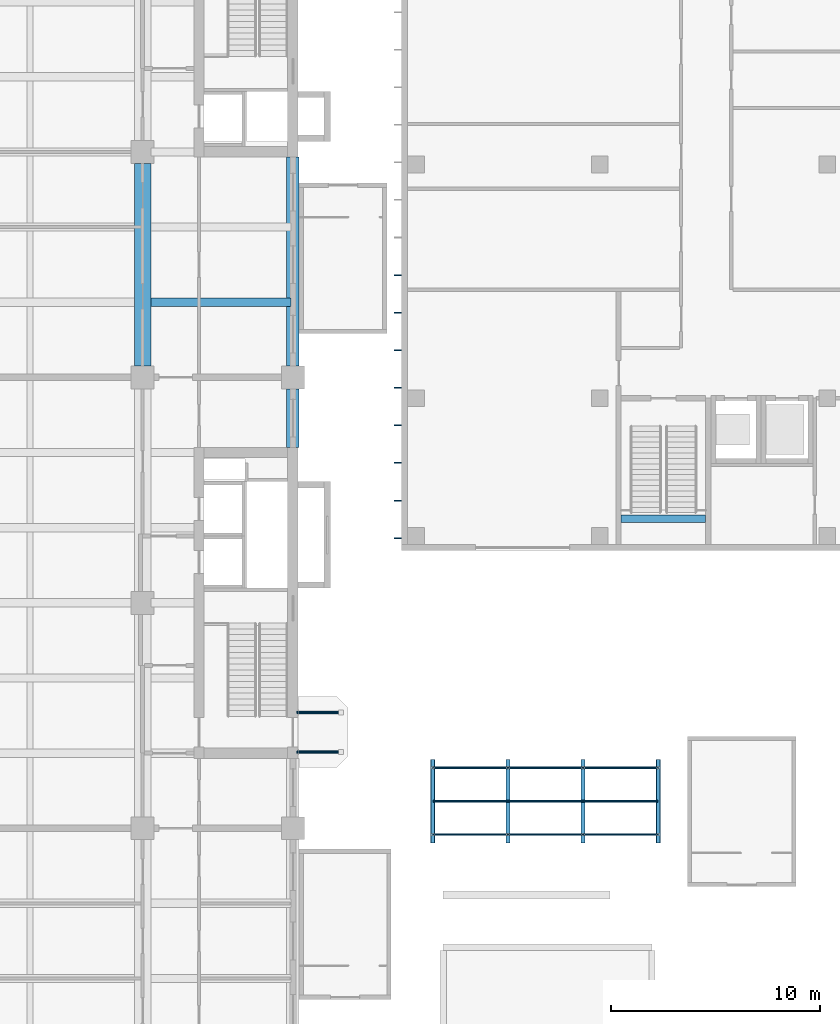
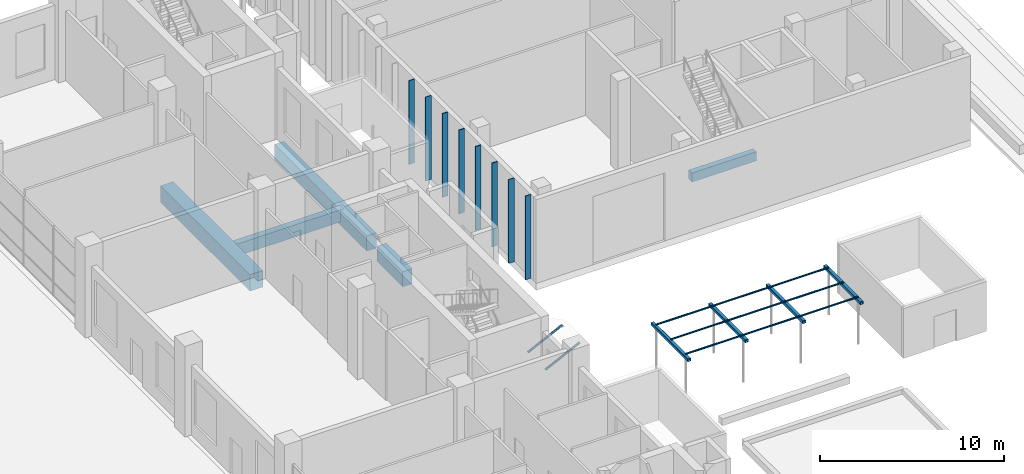
# One storey, part 31 of 71: 19 members, 9 beams.
"""IFC4 building model written with IfcOpenShell, lengths in metres."""

from ifc_helpers import new_model, si_unit, direction, frame, origin, origin_2d, place, context, subcontext, project, spatial, rectangle, hollow_rectangle, hollow_circle, extrude, material, material_profile, profile_set, type_object, element, save


model = new_model("IFC4")

# Units and contexts
model_context = context("Model", 3, precision=1e-05, world=origin(), true_north=direction((0.0, 1.0)))
body_context = subcontext(model_context, "Body", "Model", "MODEL_VIEW")
ifc_project = project(units=[si_unit("LENGTHUNIT", "METRE"), si_unit("AREAUNIT", "SQUARE_METRE"), si_unit("VOLUMEUNIT", "CUBIC_METRE"), si_unit("PLANEANGLEUNIT", "RADIAN"), si_unit("MASSUNIT", "GRAM", prefix="KILO")], contexts=[model_context])

# Site, building, storey
site_placement = place(None, origin())
site = spatial("IfcSite", under=ifc_project, at=site_placement, CompositionType="ELEMENT")
building_placement = place(site_placement, origin())
building = spatial("IfcBuilding", under=site, at=building_placement, Name="Basin Gate Institute", CompositionType="ELEMENT")
storey_placement = place(building_placement, origin())
storey = spatial("IfcBuildingStorey", under=building, at=storey_placement, Name="L00", CompositionType="ELEMENT", Elevation=0.0)

# Beams
ifc_material_1 = material(Name="Concrete 40 MPa", Category="concrete")
ifc_material_profile_1 = material_profile(ifc_material_1, rectangle(XDim=0.39990234375, YDim=0.800048828125, at=origin_2d()), Name="Beam B2 400 x 800")
ifc_profile_set_1 = profile_set([ifc_material_profile_1], Name="Concrete 40 MPa")
beam_type_1 = type_object("IfcBeamType", Name="Beam B2 R180", PredefinedType="BEAM", material=ifc_profile_set_1)
beam_1_placement = place(storey_placement, frame((118.699951171875, 81.89990234375, -0.699951171875), z_axis=(-1.0, 0.0, 0.0), x_axis=(0.0, -1.0, 0.0)))
element("IfcBeam", 1, at=beam_1_placement, inside=storey, type_object=beam_type_1, material=ifc_profile_set_1, Name="BEAM/L00/E/OUT/14", PredefinedType="BEAM", context=body_context, shape_type="SweptSolid", body=[
    extrude(rectangle(XDim=0.39990234375, YDim=0.800048828125, at=origin_2d()), origin(), (0.0, 0.0, 1.0), 6.699951171875),
])
ifc_material_2 = material(Name="Concrete 40 MPa", Category="concrete")
ifc_material_profile_2 = material_profile(ifc_material_2, rectangle(XDim=0.35009765625, YDim=0.60009765625, at=origin_2d()), Name="Beam B4 350 x 600")
ifc_profile_set_2 = profile_set([ifc_material_profile_2], Name="Concrete 40 MPa")
beam_type_2 = type_object("IfcBeamType", Name="Beam B4 R180", PredefinedType="BEAM", material=ifc_profile_set_2)
beam_2_placement = place(storey_placement, frame((134.52490234375, 71.5263671875, 2.5), z_axis=(1.0, 0.0, 0.0), x_axis=(0.0, 1.0, 0.0)))
element("IfcBeam", 2, at=beam_2_placement, inside=storey, type_object=beam_type_2, material=ifc_profile_set_2, Name="Stair landing beam ST-C1 L00", PredefinedType="BEAM", context=body_context, shape_type="SweptSolid", body=[
    extrude(rectangle(XDim=0.35009765625, YDim=0.60009765625, at=origin_2d()), origin(), (0.0, 0.0, 1.0), 4.050048828125),
])

# Members
ifc_material_3 = material(Name="Structural steel SN490", Category="steel")
ifc_material_profile_3 = material_profile(ifc_material_3, hollow_circle(Radius=0.06982421875, WallThickness=0.006103515625, at=origin_2d()), Name="CHS139x6")
ifc_profile_set_3 = profile_set([ifc_material_profile_3], Name="Structural steel SN490")
member_type_1 = type_object("IfcMemberType", Name="Canopy strut TD4", PredefinedType="BRACE", material=ifc_profile_set_3)
for number, where, z_axis, x_axis, name in (
    (3, (119.0, 60.35009765625, 1.89990234375), (0.898551608074, 0.0, 0.438867870353), (0.0, 1.0, 0.0), "Canopy strut EM 1"),
    (4, (119.0, 62.25, 1.89990234375), (0.898551608074, 0.0, 0.438867870353), (0.0, 1.0, 0.0), "Canopy strut EM 2"),
):
    element("IfcMember", number, at=place(storey_placement, frame(where, z_axis=z_axis, x_axis=x_axis)), inside=storey, type_object=member_type_1, material=ifc_profile_set_3, Name=name, PredefinedType="BRACE", context=body_context, shape_type="SweptSolid", body=[
        extrude(hollow_circle(Radius=0.06982421875, WallThickness=0.006103515625, at=origin_2d()), origin(), (0.0, 0.0, 1.0), 2.392578125),
    ])

# Beams
ifc_material_4 = material(Name="Structural steel SN490", Category="steel")
ifc_material_profile_4 = material_profile(ifc_material_4, hollow_rectangle(XDim=0.199951171875, YDim=0.199951171875, WallThickness=0.009033203125, InnerFilletRadius=0.009033203125, OuterFilletRadius=0.01806640625, at=origin_2d()), Name="RHS200x200x9")
ifc_profile_set_4 = profile_set([ifc_material_profile_4], Name="Structural steel SN490")
beam_type_3 = type_object("IfcBeamType", Name="Court steel TD2 Beam beam", PredefinedType="BEAM", material=ifc_profile_set_4)
for number, where, z_axis, x_axis, name in (
    (5, (125.5, 56.0, 2.89990234375), (0.0, 1.0, 0.0), (-1.0, 0.0, 0.0), "Service Court pergola beam"),
    (6, (129.10009765625, 56.0, 2.89990234375), (0.0, 1.0, 0.0), (-1.0, 0.0, 0.0), "Service Court pergola beam"),
    (7, (132.699951171875, 56.0, 2.89990234375), (0.0, 1.0, 0.0), (-1.0, 0.0, 0.0), "Service Court pergola beam"),
    (8, (136.300048828125, 56.0, 2.89990234375), (0.0, 1.0, 0.0), (-1.0, 0.0, 0.0), "Service Court pergola beam"),
):
    element("IfcBeam", number, at=place(storey_placement, frame(where, z_axis=z_axis, x_axis=x_axis)), inside=storey, type_object=beam_type_3, material=ifc_profile_set_4, Name=name, PredefinedType="BEAM", context=body_context, shape_type="SweptSolid", body=[
        extrude(hollow_rectangle(XDim=0.199951171875, YDim=0.199951171875, WallThickness=0.009033203125, InnerFilletRadius=0.009033203125, OuterFilletRadius=0.01806640625, at=origin_2d()), origin(), (0.0, 0.0, 1.0), 4.0),
    ])

# Members
ifc_material_5 = material(Name="Structural steel SN490", Category="steel")
ifc_material_profile_5 = material_profile(ifc_material_5, hollow_circle(Radius=0.05712890625, WallThickness=0.0048828125, at=origin_2d()), Name="CHS114x5")
ifc_profile_set_5 = profile_set([ifc_material_profile_5], Name="Structural steel SN490")
member_type_2 = type_object("IfcMemberType", Name="Court steel TD5 Member purlin", PredefinedType="PURLIN", material=ifc_profile_set_5)
for number, where, z_axis, x_axis, name in (
    (9, (125.5, 56.39990234375, 3.05712890625), (1.0, 0.0, 0.0), (0.0, 1.0, 0.0), "Service Court pergola joist"),
    (10, (125.5, 59.60009765625, 3.05712890625), (1.0, 0.0, 0.0), (0.0, 1.0, 0.0), "Service Court pergola joist"),
    (11, (125.5, 58.0, 3.05712890625), (1.0, 0.0, 0.0), (0.0, 1.0, 0.0), "Service Court pergola joist"),
):
    element("IfcMember", number, at=place(storey_placement, frame(where, z_axis=z_axis, x_axis=x_axis)), inside=storey, type_object=member_type_2, material=ifc_profile_set_5, Name=name, PredefinedType="PURLIN", context=body_context, shape_type="SweptSolid", body=[
        extrude(hollow_circle(Radius=0.05712890625, WallThickness=0.0048828125, at=origin_2d()), origin(), (0.0, 0.0, 1.0), 3.60009765625),
    ])
for number, where, z_axis, x_axis, name in (
    (12, (129.10009765625, 56.39990234375, 3.05712890625), (1.0, 0.0, 0.0), (0.0, 1.0, 0.0), "Service Court pergola joist"),
    (13, (129.10009765625, 59.60009765625, 3.05712890625), (1.0, 0.0, 0.0), (0.0, 1.0, 0.0), "Service Court pergola joist"),
    (14, (129.10009765625, 58.0, 3.05712890625), (1.0, 0.0, 0.0), (0.0, 1.0, 0.0), "Service Court pergola joist"),
):
    element("IfcMember", number, at=place(storey_placement, frame(where, z_axis=z_axis, x_axis=x_axis)), inside=storey, type_object=member_type_2, material=ifc_profile_set_5, Name=name, PredefinedType="PURLIN", context=body_context, shape_type="SweptSolid", body=[
        extrude(hollow_circle(Radius=0.05712890625, WallThickness=0.0048828125, at=origin_2d()), origin(), (0.0, 0.0, 1.0), 3.599853515625),
    ])
for number, where, z_axis, x_axis, name in (
    (15, (132.699951171875, 56.39990234375, 3.05712890625), (1.0, 0.0, 0.0), (0.0, 1.0, 0.0), "Service Court pergola joist"),
    (16, (132.699951171875, 59.60009765625, 3.05712890625), (1.0, 0.0, 0.0), (0.0, 1.0, 0.0), "Service Court pergola joist"),
    (17, (132.699951171875, 58.0, 3.05712890625), (1.0, 0.0, 0.0), (0.0, 1.0, 0.0), "Service Court pergola joist"),
):
    element("IfcMember", number, at=place(storey_placement, frame(where, z_axis=z_axis, x_axis=x_axis)), inside=storey, type_object=member_type_2, material=ifc_profile_set_5, Name=name, PredefinedType="PURLIN", context=body_context, shape_type="SweptSolid", body=[
        extrude(hollow_circle(Radius=0.05712890625, WallThickness=0.0048828125, at=origin_2d()), origin(), (0.0, 0.0, 1.0), 3.60009765625),
    ])

# Beams
ifc_material_6 = material(Name="Concrete 50 MPa", Category="concrete")
ifc_material_profile_6 = material_profile(ifc_material_6, rectangle(XDim=0.60009765625, YDim=1.0, at=origin_2d()), Name="Edge beam EB2 600 x 1000")
ifc_profile_set_6 = profile_set([ifc_material_profile_6], Name="Concrete 50 MPa")
beam_type_4 = type_object("IfcBeamType", Name="Edge beam EB2 R180", PredefinedType="SPANDREL", material=ifc_profile_set_6)
beam_3_placement = place(storey_placement, frame((118.800048828125, 78.85009765625, -0.800048828125), z_axis=(0.0, 1.0, 0.0), x_axis=(-1.0, 0.0, 0.0)))
element("IfcBeam", 18, at=beam_3_placement, inside=storey, type_object=beam_type_4, material=ifc_profile_set_6, Name="BEAM/L00/E/EDGE/4", PredefinedType="SPANDREL", context=body_context, shape_type="SweptSolid", body=[
    extrude(rectangle(XDim=0.60009765625, YDim=1.0, at=origin_2d()), origin(), (0.0, 0.0, 1.0), 10.0),
])
ifc_material_7 = material(Name="Concrete 50 MPa", Category="concrete")
ifc_material_profile_7 = material_profile(ifc_material_7, rectangle(XDim=0.60009765625, YDim=1.0, at=origin_2d()), Name="Edge return beam EB4 600 x 1000")
ifc_profile_set_7 = profile_set([ifc_material_profile_7], Name="Concrete 50 MPa")
beam_type_5 = type_object("IfcBeamType", Name="Edge return beam EB4 R180", PredefinedType="SPANDREL", material=ifc_profile_set_7)
beam_4_placement = place(storey_placement, frame((118.800048828125, 74.949951171875, -0.800048828125), z_axis=(0.0, 1.0, 0.0), x_axis=(-1.0, 0.0, 0.0)))
element("IfcBeam", 19, at=beam_4_placement, inside=storey, type_object=beam_type_5, material=ifc_profile_set_7, Name="BEAM/L00/E/EDGE/3", PredefinedType="SPANDREL", context=body_context, shape_type="SweptSolid", body=[
    extrude(rectangle(XDim=0.60009765625, YDim=1.0, at=origin_2d()), origin(), (0.0, 0.0, 1.0), 2.800048828125),
])
ifc_material_8 = material(Name="Concrete 50 MPa", Category="concrete")
ifc_material_profile_8 = material_profile(ifc_material_8, rectangle(XDim=0.800048828125, YDim=1.10009765625, at=origin_2d()), Name="Girder G2 800 x 1100")
ifc_profile_set_8 = profile_set([ifc_material_profile_8], Name="Concrete 50 MPa")
beam_type_6 = type_object("IfcBeamType", Name="Girder G2 R180", PredefinedType="BEAM", material=ifc_profile_set_8)
beam_5_placement = place(storey_placement, frame((111.60009765625, 78.85009765625, -0.85009765625), z_axis=(0.0, 1.0, 0.0), x_axis=(-1.0, 0.0, 0.0)))
element("IfcBeam", 20, at=beam_5_placement, inside=storey, type_object=beam_type_6, material=ifc_profile_set_8, Name="GIR/L00/E8/5", PredefinedType="BEAM", context=body_context, shape_type="SweptSolid", body=[
    extrude(rectangle(XDim=0.800048828125, YDim=1.10009765625, at=origin_2d()), origin(), (0.0, 0.0, 1.0), 9.699951171875),
])

# Members
ifc_material_9 = material(Name="Anodised aluminium", Category="aluminium")
ifc_material_profile_9 = material_profile(ifc_material_9, rectangle(XDim=0.050048828125, YDim=0.35009765625, at=origin_2d()), Name="Louvre fin CF1 50 x 350")
ifc_profile_set_9 = profile_set([ifc_material_profile_9], Name="Anodised aluminium")
member_type_3 = type_object("IfcMemberType", Name="Louvre fin CF1", PredefinedType="PLATE", material=ifc_profile_set_9)
for number, where, z_axis, x_axis, name in (
    (21, (123.824951171875, 70.60009765625, 0.0), (0.0, 0.0, 1.0), (0.0, 1.0, 0.0), "Louvre fin CF1 W1 L00"),
    (22, (123.824951171875, 72.39990234375, 0.0), (0.0, 0.0, 1.0), (0.0, 1.0, 0.0), "Louvre fin CF1 W2 L00"),
    (23, (123.824951171875, 74.199951171875, 0.0), (0.0, 0.0, 1.0), (0.0, 1.0, 0.0), "Louvre fin CF1 W3 L00"),
    (24, (123.824951171875, 76.0, 0.0), (0.0, 0.0, 1.0), (0.0, 1.0, 0.0), "Louvre fin CF1 W4 L00"),
    (25, (123.824951171875, 77.800048828125, 0.0), (0.0, 0.0, 1.0), (0.0, 1.0, 0.0), "Louvre fin CF1 W5 L00"),
    (26, (123.824951171875, 79.60009765625, 0.0), (0.0, 0.0, 1.0), (0.0, 1.0, 0.0), "Louvre fin CF1 W6 L00"),
    (27, (123.824951171875, 81.39990234375, 0.0), (0.0, 0.0, 1.0), (0.0, 1.0, 0.0), "Louvre fin CF1 W7 L00"),
    (28, (123.824951171875, 83.199951171875, 0.0), (0.0, 0.0, 1.0), (0.0, 1.0, 0.0), "Louvre fin CF1 W8 L00"),
):
    element("IfcMember", number, at=place(storey_placement, frame(where, z_axis=z_axis, x_axis=x_axis)), inside=storey, type_object=member_type_3, material=ifc_profile_set_9, Name=name, PredefinedType="PLATE", context=body_context, shape_type="SweptSolid", body=[
        extrude(rectangle(XDim=0.050048828125, YDim=0.35009765625, at=origin_2d()), origin(), (0.0, 0.0, 1.0), 5.550048828125),
    ])

save(model, "model.ifc")
